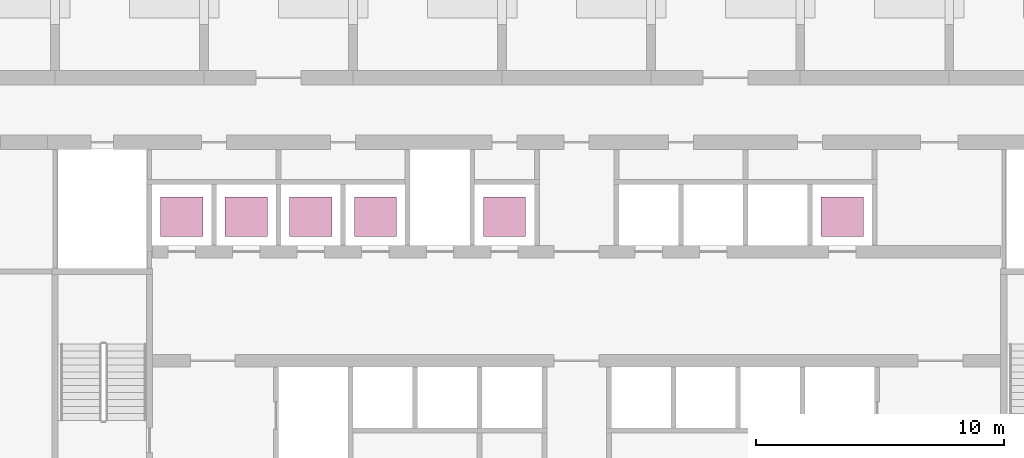
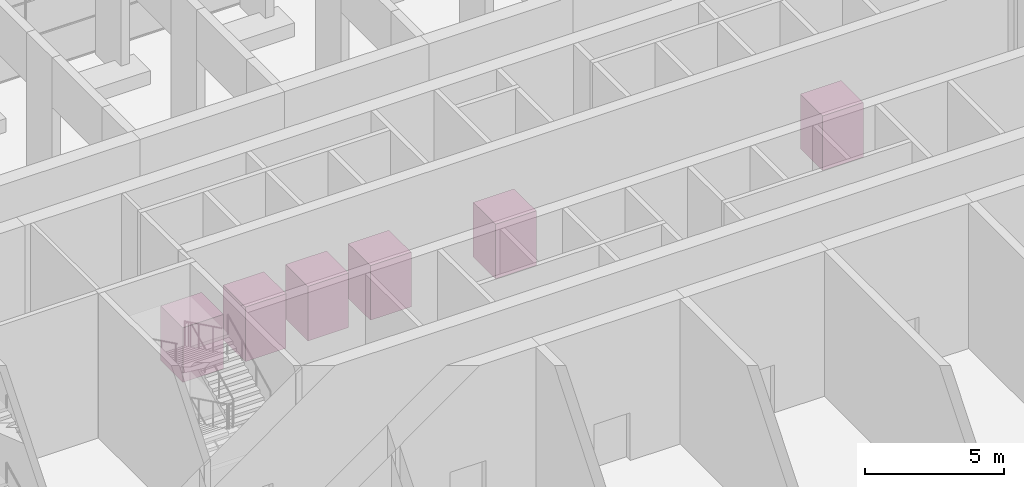
# One storey, part 16 of 16: 6 transport elements.
"""IFC4 building model written with IfcOpenShell, lengths in metres."""

from ifc_helpers import new_model, si_unit, direction, frame, origin, origin_2d, place, context, subcontext, project, spatial, rectangle, extrude, source, transform, mapped, material, type_object, element, save


model = new_model("IFC4")

# Units and contexts
model_context = context("Model", 3, precision=1e-05, world=origin(), true_north=direction((0.0, 1.0)))
body_context = subcontext(model_context, "Body", "Model", "MODEL_VIEW")
ifc_project = project(units=[si_unit("LENGTHUNIT", "METRE"), si_unit("AREAUNIT", "SQUARE_METRE"), si_unit("VOLUMEUNIT", "CUBIC_METRE"), si_unit("PLANEANGLEUNIT", "RADIAN"), si_unit("MASSUNIT", "GRAM", prefix="KILO")], contexts=[model_context])

# Site, building, storey
site_placement = place(None, origin())
site = spatial("IfcSite", under=ifc_project, at=site_placement, CompositionType="ELEMENT")
building_placement = place(site_placement, origin())
building = spatial("IfcBuilding", under=site, at=building_placement, Name="Poui Terraces", CompositionType="ELEMENT")
storey_placement = place(building_placement, frame((0.0, 0.0, 115.800048828125)))
storey = spatial("IfcBuildingStorey", under=building, at=storey_placement, Name="L32", CompositionType="ELEMENT", Elevation=115.800048828125)

# Transport elements
ifc_material = material(Name="Stainless steel lift car", Category="steel")
transport_element_type = type_object("IfcTransportElementType", Name="PASSENGER LIFT CAR 1700 X 1600", PredefinedType="ELEVATOR", material=ifc_material)
shared_shape = source(origin(), body_context, "Body", "SweptSolid", [
    extrude(rectangle(XDim=1.699951171875, YDim=1.60009765625, at=origin_2d()), origin(), (0.0, 0.0, 1.0), 2.39990234375),
])
for number, where, z_axis, x_axis, name in (
    (1, (35.10009765625, 24.800048828125, 0.0), (0.0, 0.0, 1.0), (1.0, 0.0, 0.0), "LIFT HR1"),
    (2, (37.699951171875, 24.800048828125, 0.0), (0.0, 0.0, 1.0), (1.0, 0.0, 0.0), "LIFT HR2"),
    (3, (40.300048828125, 24.800048828125, 0.0), (0.0, 0.0, 1.0), (1.0, 0.0, 0.0), "LIFT HR3"),
    (4, (42.89990234375, 24.800048828125, 0.0), (0.0, 0.0, 1.0), (1.0, 0.0, 0.0), "LIFT HR4"),
    (5, (61.699951171875, 24.800048828125, 0.0), (0.0, 0.0, 1.0), (1.0, 0.0, 0.0), "LIFT HR5"),
    (6, (48.10009765625, 24.800048828125, 0.0), (0.0, 0.0, 1.0), (1.0, 0.0, 0.0), "LIFT HR6"),
):
    element("IfcTransportElement", number, at=place(storey_placement, frame(where, z_axis=z_axis, x_axis=x_axis)), inside=storey, type_object=transport_element_type, Name=name, PredefinedType="ELEVATOR", context=body_context, shape_type="MappedRepresentation", body=[
        mapped(shared_shape, transform((0.0, 0.0, 0.0))),
    ])

save(model, "model.ifc")
